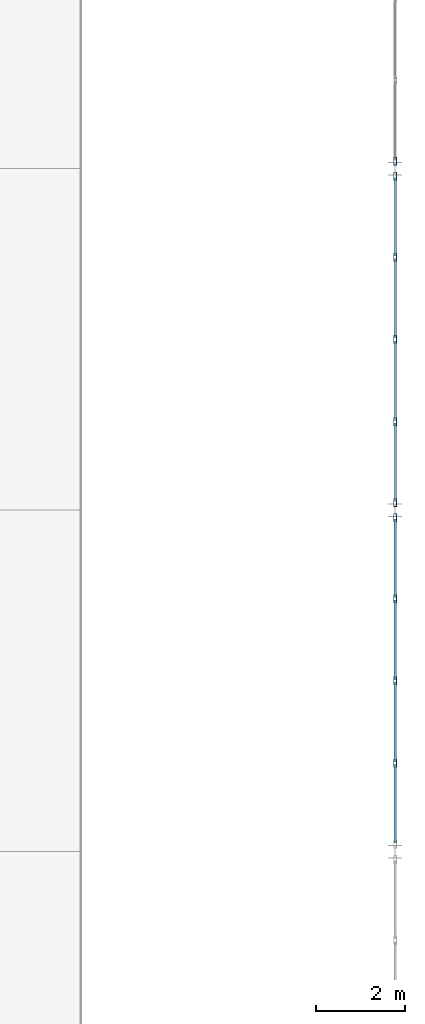
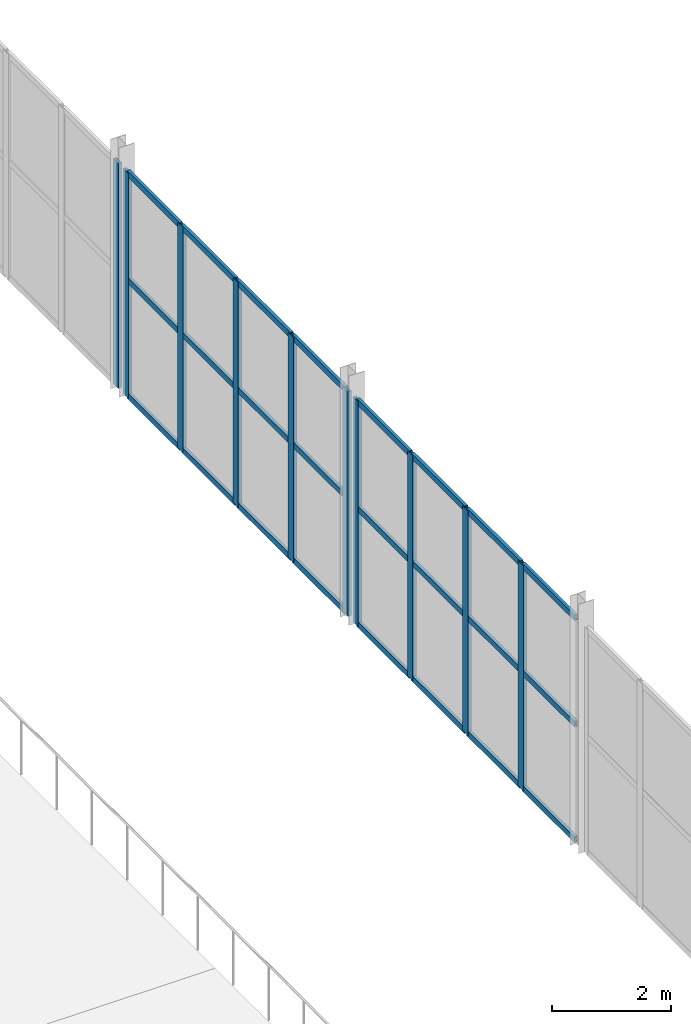
# One storey, part 134 of 218: 34 members, 3 elements without a shape of their own.
"""IFC4 building model written with IfcOpenShell, lengths in metres."""

from ifc_helpers import new_model, si_unit, direction, frame, origin, origin_2d, place, context, subcontext, project, spatial, hollow_rectangle, extrude, material, material_profile, profile_set, type_object, element, aggregate, save


model = new_model("IFC4")

# Units and contexts
model_context = context("Model", 3, precision=1e-05, world=origin(), true_north=direction((0.0, 1.0)))
body_context = subcontext(model_context, "Body", "Model", "MODEL_VIEW")
ifc_project = project(units=[si_unit("LENGTHUNIT", "METRE"), si_unit("AREAUNIT", "SQUARE_METRE"), si_unit("VOLUMEUNIT", "CUBIC_METRE"), si_unit("PLANEANGLEUNIT", "RADIAN"), si_unit("MASSUNIT", "GRAM", prefix="KILO")], contexts=[model_context])

# Site, building, storey
site_placement = place(None, origin())
site = spatial("IfcSite", under=ifc_project, at=site_placement, CompositionType="ELEMENT")
building_placement = place(site_placement, origin())
building = spatial("IfcBuilding", under=site, at=building_placement, Name="Kazenagashi Tramway Depot", CompositionType="ELEMENT")
storey_placement = place(building_placement, frame((0.0, 0.0, 6.0)))
storey = spatial("IfcBuildingStorey", under=building, at=storey_placement, Name="L02", CompositionType="ELEMENT", Elevation=6.0)

# Curtain wall, members
ifc_material_1 = material(Name="Anodised Aluminium and Low-E Glazing", Category="aluminium")
curtain_wall_type = type_object("IfcCurtainWallType", Name="CW-23", PredefinedType="USERDEFINED", material=ifc_material_1)
curtain_wall_1_placement = place(storey_placement, origin())
curtain_wall_1 = element("IfcCurtainWall", 1, at=curtain_wall_1_placement, inside=storey, type_object=curtain_wall_type, Name="Industrial Glazed Screen CW-23 CW-0127", ObjectType="GLAZED SCREEN", PredefinedType="USERDEFINED")
ifc_material_2 = material(Name="Anodised Aluminium", Category="aluminium")
ifc_material_profile_1 = material_profile(ifc_material_2, hollow_rectangle(XDim=0.07, YDim=0.18, WallThickness=0.005, at=origin_2d()), Name="RHS-180x70x5")
ifc_profile_set_1 = profile_set([ifc_material_profile_1], Name="Anodised Aluminium")
member_type_1 = type_object("IfcMemberType", Name="ML-02", PredefinedType="MULLION", material=ifc_profile_set_1)
member_1_placement = place(storey_placement, frame((196.0, 17.395, 0.0), z_axis=(0.0, 0.0, 1.0), x_axis=(-1.0, 0.0, 0.0)))
member_1 = element("IfcMember", 2, at=member_1_placement, type_object=member_type_1, Name="CW-23 mullion 2", PredefinedType="MULLION", context=body_context, shape_type="SweptSolid", body=[
    extrude(hollow_rectangle(XDim=0.07, YDim=0.18, WallThickness=0.005, at=origin_2d()), origin(), (0.0, 0.0, 1.0), 4.6),
])
member_2_placement = place(storey_placement, frame((196.0, 19.25, 0.0), z_axis=(0.0, 0.0, 1.0), x_axis=(-1.0, 0.0, 0.0)))
member_2 = element("IfcMember", 3, at=member_2_placement, type_object=member_type_1, Name="CW-23 mullion 3", PredefinedType="MULLION", context=body_context, shape_type="SweptSolid", body=[
    extrude(hollow_rectangle(XDim=0.07, YDim=0.18, WallThickness=0.005, at=origin_2d()), origin(), (0.0, 0.0, 1.0), 4.6),
])
member_3_placement = place(storey_placement, frame((196.0, 21.105, 0.0), z_axis=(0.0, 0.0, 1.0), x_axis=(-1.0, 0.0, 0.0)))
member_3 = element("IfcMember", 4, at=member_3_placement, type_object=member_type_1, Name="CW-23 mullion 4", PredefinedType="MULLION", context=body_context, shape_type="SweptSolid", body=[
    extrude(hollow_rectangle(XDim=0.07, YDim=0.18, WallThickness=0.005, at=origin_2d()), origin(), (0.0, 0.0, 1.0), 4.6),
])
member_4_placement = place(storey_placement, frame((196.0, 22.93, 0.0), z_axis=(0.0, 0.0, 1.0), x_axis=(-1.0, 0.0, 0.0)))
member_4 = element("IfcMember", 5, at=member_4_placement, type_object=member_type_1, Name="CW-23 mullion 5", PredefinedType="MULLION", context=body_context, shape_type="SweptSolid", body=[
    extrude(hollow_rectangle(XDim=0.07, YDim=0.18, WallThickness=0.005, at=origin_2d()), origin(), (0.0, 0.0, 1.0), 4.6),
])

curtain_wall_2_placement = place(storey_placement, origin())
curtain_wall_2 = element("IfcCurtainWall", 6, at=curtain_wall_2_placement, inside=storey, type_object=curtain_wall_type, Name="Industrial Glazed Screen CW-23 CW-0128", ObjectType="GLAZED SCREEN", PredefinedType="USERDEFINED")
member_5_placement = place(storey_placement, frame((196.0, 23.27, 0.0), z_axis=(0.0, 0.0, 1.0), x_axis=(-1.0, 0.0, 0.0)))
member_5 = element("IfcMember", 7, at=member_5_placement, type_object=member_type_1, Name="CW-23 mullion 1", PredefinedType="MULLION", context=body_context, shape_type="SweptSolid", body=[
    extrude(hollow_rectangle(XDim=0.07, YDim=0.18, WallThickness=0.005, at=origin_2d()), origin(), (0.0, 0.0, 1.0), 4.6),
])
member_6_placement = place(storey_placement, frame((196.0, 25.095, 0.0), z_axis=(0.0, 0.0, 1.0), x_axis=(-1.0, 0.0, 0.0)))
member_6 = element("IfcMember", 8, at=member_6_placement, type_object=member_type_1, Name="CW-23 mullion 2", PredefinedType="MULLION", context=body_context, shape_type="SweptSolid", body=[
    extrude(hollow_rectangle(XDim=0.07, YDim=0.18, WallThickness=0.005, at=origin_2d()), origin(), (0.0, 0.0, 1.0), 4.6),
])
member_7_placement = place(storey_placement, frame((196.0, 26.95, 0.0), z_axis=(0.0, 0.0, 1.0), x_axis=(-1.0, 0.0, 0.0)))
member_7 = element("IfcMember", 9, at=member_7_placement, type_object=member_type_1, Name="CW-23 mullion 3", PredefinedType="MULLION", context=body_context, shape_type="SweptSolid", body=[
    extrude(hollow_rectangle(XDim=0.07, YDim=0.18, WallThickness=0.005, at=origin_2d()), origin(), (0.0, 0.0, 1.0), 4.6),
])
member_8_placement = place(storey_placement, frame((196.0, 28.805, 0.0), z_axis=(0.0, 0.0, 1.0), x_axis=(-1.0, 0.0, 0.0)))
member_8 = element("IfcMember", 10, at=member_8_placement, type_object=member_type_1, Name="CW-23 mullion 4", PredefinedType="MULLION", context=body_context, shape_type="SweptSolid", body=[
    extrude(hollow_rectangle(XDim=0.07, YDim=0.18, WallThickness=0.005, at=origin_2d()), origin(), (0.0, 0.0, 1.0), 4.6),
])
member_9_placement = place(storey_placement, frame((196.0, 30.63, 0.0), z_axis=(0.0, 0.0, 1.0), x_axis=(-1.0, 0.0, 0.0)))
member_9 = element("IfcMember", 11, at=member_9_placement, type_object=member_type_1, Name="CW-23 mullion 5", PredefinedType="MULLION", context=body_context, shape_type="SweptSolid", body=[
    extrude(hollow_rectangle(XDim=0.07, YDim=0.18, WallThickness=0.005, at=origin_2d()), origin(), (0.0, 0.0, 1.0), 4.6),
])

# Curtain wall, member
curtain_wall_3_placement = place(storey_placement, origin())
curtain_wall_3 = element("IfcCurtainWall", 12, at=curtain_wall_3_placement, inside=storey, type_object=curtain_wall_type, Name="Industrial Glazed Screen CW-23 CW-0129", ObjectType="GLAZED SCREEN", PredefinedType="USERDEFINED")
member_10_placement = place(storey_placement, frame((196.0, 30.97, 0.0), z_axis=(0.0, 0.0, 1.0), x_axis=(-1.0, 0.0, 0.0)))
member_10 = element("IfcMember", 13, at=member_10_placement, type_object=member_type_1, Name="CW-23 mullion 1", PredefinedType="MULLION", context=body_context, shape_type="SweptSolid", body=[
    extrude(hollow_rectangle(XDim=0.07, YDim=0.18, WallThickness=0.005, at=origin_2d()), origin(), (0.0, 0.0, 1.0), 4.6),
])
aggregate(curtain_wall_3, [member_10])

# Member
ifc_material_profile_2 = material_profile(ifc_material_2, hollow_rectangle(XDim=0.06, YDim=0.12, WallThickness=0.004, at=origin_2d()), Name="RHS-120x60x4")
ifc_profile_set_2 = profile_set([ifc_material_profile_2], Name="Anodised Aluminium")
member_type_2 = type_object("IfcMemberType", Name="TR-01", PredefinedType="USERDEFINED", material=ifc_profile_set_2)
member_11_placement = place(storey_placement, frame((196.0, 15.6, 0.03), z_axis=(0.0, 1.0, 0.0), x_axis=(-1.0, 0.0, 0.0)))
member_11 = element("IfcMember", 14, at=member_11_placement, type_object=member_type_2, Name="CW-23 transom 1.1", ObjectType="TRANSOM", PredefinedType="USERDEFINED", context=body_context, shape_type="SweptSolid", body=[
    extrude(hollow_rectangle(XDim=0.06, YDim=0.12, WallThickness=0.004, at=origin_2d()), origin(), (0.0, 0.0, 1.0), 1.765),
])

member_12_placement = place(storey_placement, frame((196.0, 15.6, 2.392), z_axis=(0.0, 1.0, 0.0), x_axis=(-1.0, 0.0, 0.0)))
member_12 = element("IfcMember", 15, at=member_12_placement, type_object=member_type_2, Name="CW-23 transom 1.2", ObjectType="TRANSOM", PredefinedType="USERDEFINED", context=body_context, shape_type="SweptSolid", body=[
    extrude(hollow_rectangle(XDim=0.06, YDim=0.12, WallThickness=0.004, at=origin_2d()), origin(), (0.0, 0.0, 1.0), 1.765),
])

member_13_placement = place(storey_placement, frame((196.0, 15.6, 4.57), z_axis=(0.0, 1.0, 0.0), x_axis=(-1.0, 0.0, 0.0)))
member_13 = element("IfcMember", 16, at=member_13_placement, type_object=member_type_2, Name="CW-23 transom 1.3", ObjectType="TRANSOM", PredefinedType="USERDEFINED", context=body_context, shape_type="SweptSolid", body=[
    extrude(hollow_rectangle(XDim=0.06, YDim=0.12, WallThickness=0.004, at=origin_2d()), origin(), (0.0, 0.0, 1.0), 1.765),
])

member_14_placement = place(storey_placement, frame((196.0, 17.425, 0.03), z_axis=(0.0, 1.0, 0.0), x_axis=(-1.0, 0.0, 0.0)))
member_14 = element("IfcMember", 17, at=member_14_placement, type_object=member_type_2, Name="CW-23 transom 2.1", ObjectType="TRANSOM", PredefinedType="USERDEFINED", context=body_context, shape_type="SweptSolid", body=[
    extrude(hollow_rectangle(XDim=0.06, YDim=0.12, WallThickness=0.004, at=origin_2d()), origin(), (0.0, 0.0, 1.0), 1.795),
])

member_15_placement = place(storey_placement, frame((196.0, 17.425, 2.392), z_axis=(0.0, 1.0, 0.0), x_axis=(-1.0, 0.0, 0.0)))
member_15 = element("IfcMember", 18, at=member_15_placement, type_object=member_type_2, Name="CW-23 transom 2.2", ObjectType="TRANSOM", PredefinedType="USERDEFINED", context=body_context, shape_type="SweptSolid", body=[
    extrude(hollow_rectangle(XDim=0.06, YDim=0.12, WallThickness=0.004, at=origin_2d()), origin(), (0.0, 0.0, 1.0), 1.795),
])

member_16_placement = place(storey_placement, frame((196.0, 17.425, 4.57), z_axis=(0.0, 1.0, 0.0), x_axis=(-1.0, 0.0, 0.0)))
member_16 = element("IfcMember", 19, at=member_16_placement, type_object=member_type_2, Name="CW-23 transom 2.3", ObjectType="TRANSOM", PredefinedType="USERDEFINED", context=body_context, shape_type="SweptSolid", body=[
    extrude(hollow_rectangle(XDim=0.06, YDim=0.12, WallThickness=0.004, at=origin_2d()), origin(), (0.0, 0.0, 1.0), 1.795),
])

member_17_placement = place(storey_placement, frame((196.0, 19.28, 0.03), z_axis=(0.0, 1.0, 0.0), x_axis=(-1.0, 0.0, 0.0)))
member_17 = element("IfcMember", 20, at=member_17_placement, type_object=member_type_2, Name="CW-23 transom 3.1", ObjectType="TRANSOM", PredefinedType="USERDEFINED", context=body_context, shape_type="SweptSolid", body=[
    extrude(hollow_rectangle(XDim=0.06, YDim=0.12, WallThickness=0.004, at=origin_2d()), origin(), (0.0, 0.0, 1.0), 1.795),
])

member_18_placement = place(storey_placement, frame((196.0, 19.28, 2.392), z_axis=(0.0, 1.0, 0.0), x_axis=(-1.0, 0.0, 0.0)))
member_18 = element("IfcMember", 21, at=member_18_placement, type_object=member_type_2, Name="CW-23 transom 3.2", ObjectType="TRANSOM", PredefinedType="USERDEFINED", context=body_context, shape_type="SweptSolid", body=[
    extrude(hollow_rectangle(XDim=0.06, YDim=0.12, WallThickness=0.004, at=origin_2d()), origin(), (0.0, 0.0, 1.0), 1.795),
])

member_19_placement = place(storey_placement, frame((196.0, 19.28, 4.57), z_axis=(0.0, 1.0, 0.0), x_axis=(-1.0, 0.0, 0.0)))
member_19 = element("IfcMember", 22, at=member_19_placement, type_object=member_type_2, Name="CW-23 transom 3.3", ObjectType="TRANSOM", PredefinedType="USERDEFINED", context=body_context, shape_type="SweptSolid", body=[
    extrude(hollow_rectangle(XDim=0.06, YDim=0.12, WallThickness=0.004, at=origin_2d()), origin(), (0.0, 0.0, 1.0), 1.795),
])

member_20_placement = place(storey_placement, frame((196.0, 21.135, 0.03), z_axis=(0.0, 1.0, 0.0), x_axis=(-1.0, 0.0, 0.0)))
member_20 = element("IfcMember", 23, at=member_20_placement, type_object=member_type_2, Name="CW-23 transom 4.1", ObjectType="TRANSOM", PredefinedType="USERDEFINED", context=body_context, shape_type="SweptSolid", body=[
    extrude(hollow_rectangle(XDim=0.06, YDim=0.12, WallThickness=0.004, at=origin_2d()), origin(), (0.0, 0.0, 1.0), 1.765),
])

member_21_placement = place(storey_placement, frame((196.0, 21.135, 2.392), z_axis=(0.0, 1.0, 0.0), x_axis=(-1.0, 0.0, 0.0)))
member_21 = element("IfcMember", 24, at=member_21_placement, type_object=member_type_2, Name="CW-23 transom 4.2", ObjectType="TRANSOM", PredefinedType="USERDEFINED", context=body_context, shape_type="SweptSolid", body=[
    extrude(hollow_rectangle(XDim=0.06, YDim=0.12, WallThickness=0.004, at=origin_2d()), origin(), (0.0, 0.0, 1.0), 1.765),
])

member_22_placement = place(storey_placement, frame((196.0, 21.135, 4.57), z_axis=(0.0, 1.0, 0.0), x_axis=(-1.0, 0.0, 0.0)))
member_22 = element("IfcMember", 25, at=member_22_placement, type_object=member_type_2, Name="CW-23 transom 4.3", ObjectType="TRANSOM", PredefinedType="USERDEFINED", context=body_context, shape_type="SweptSolid", body=[
    extrude(hollow_rectangle(XDim=0.06, YDim=0.12, WallThickness=0.004, at=origin_2d()), origin(), (0.0, 0.0, 1.0), 1.765),
])

aggregate(curtain_wall_1, [member_1, member_2, member_3, member_4, member_11, member_12, member_13, member_14, member_15, member_16, member_17, member_18, member_19, member_20, member_21, member_22])

member_23_placement = place(storey_placement, frame((196.0, 23.3, 0.03), z_axis=(0.0, 1.0, 0.0), x_axis=(-1.0, 0.0, 0.0)))
member_23 = element("IfcMember", 26, at=member_23_placement, type_object=member_type_2, Name="CW-23 transom 1.1", ObjectType="TRANSOM", PredefinedType="USERDEFINED", context=body_context, shape_type="SweptSolid", body=[
    extrude(hollow_rectangle(XDim=0.06, YDim=0.12, WallThickness=0.004, at=origin_2d()), origin(), (0.0, 0.0, 1.0), 1.765),
])

member_24_placement = place(storey_placement, frame((196.0, 23.3, 2.392), z_axis=(0.0, 1.0, 0.0), x_axis=(-1.0, 0.0, 0.0)))
member_24 = element("IfcMember", 27, at=member_24_placement, type_object=member_type_2, Name="CW-23 transom 1.2", ObjectType="TRANSOM", PredefinedType="USERDEFINED", context=body_context, shape_type="SweptSolid", body=[
    extrude(hollow_rectangle(XDim=0.06, YDim=0.12, WallThickness=0.004, at=origin_2d()), origin(), (0.0, 0.0, 1.0), 1.765),
])

member_25_placement = place(storey_placement, frame((196.0, 23.3, 4.57), z_axis=(0.0, 1.0, 0.0), x_axis=(-1.0, 0.0, 0.0)))
member_25 = element("IfcMember", 28, at=member_25_placement, type_object=member_type_2, Name="CW-23 transom 1.3", ObjectType="TRANSOM", PredefinedType="USERDEFINED", context=body_context, shape_type="SweptSolid", body=[
    extrude(hollow_rectangle(XDim=0.06, YDim=0.12, WallThickness=0.004, at=origin_2d()), origin(), (0.0, 0.0, 1.0), 1.765),
])

member_26_placement = place(storey_placement, frame((196.0, 25.125, 0.03), z_axis=(0.0, 1.0, 0.0), x_axis=(-1.0, 0.0, 0.0)))
member_26 = element("IfcMember", 29, at=member_26_placement, type_object=member_type_2, Name="CW-23 transom 2.1", ObjectType="TRANSOM", PredefinedType="USERDEFINED", context=body_context, shape_type="SweptSolid", body=[
    extrude(hollow_rectangle(XDim=0.06, YDim=0.12, WallThickness=0.004, at=origin_2d()), origin(), (0.0, 0.0, 1.0), 1.795),
])

member_27_placement = place(storey_placement, frame((196.0, 25.125, 2.392), z_axis=(0.0, 1.0, 0.0), x_axis=(-1.0, 0.0, 0.0)))
member_27 = element("IfcMember", 30, at=member_27_placement, type_object=member_type_2, Name="CW-23 transom 2.2", ObjectType="TRANSOM", PredefinedType="USERDEFINED", context=body_context, shape_type="SweptSolid", body=[
    extrude(hollow_rectangle(XDim=0.06, YDim=0.12, WallThickness=0.004, at=origin_2d()), origin(), (0.0, 0.0, 1.0), 1.795),
])

member_28_placement = place(storey_placement, frame((196.0, 25.125, 4.57), z_axis=(0.0, 1.0, 0.0), x_axis=(-1.0, 0.0, 0.0)))
member_28 = element("IfcMember", 31, at=member_28_placement, type_object=member_type_2, Name="CW-23 transom 2.3", ObjectType="TRANSOM", PredefinedType="USERDEFINED", context=body_context, shape_type="SweptSolid", body=[
    extrude(hollow_rectangle(XDim=0.06, YDim=0.12, WallThickness=0.004, at=origin_2d()), origin(), (0.0, 0.0, 1.0), 1.795),
])

member_29_placement = place(storey_placement, frame((196.0, 26.98, 0.03), z_axis=(0.0, 1.0, 0.0), x_axis=(-1.0, 0.0, 0.0)))
member_29 = element("IfcMember", 32, at=member_29_placement, type_object=member_type_2, Name="CW-23 transom 3.1", ObjectType="TRANSOM", PredefinedType="USERDEFINED", context=body_context, shape_type="SweptSolid", body=[
    extrude(hollow_rectangle(XDim=0.06, YDim=0.12, WallThickness=0.004, at=origin_2d()), origin(), (0.0, 0.0, 1.0), 1.795),
])

member_30_placement = place(storey_placement, frame((196.0, 26.98, 2.392), z_axis=(0.0, 1.0, 0.0), x_axis=(-1.0, 0.0, 0.0)))
member_30 = element("IfcMember", 33, at=member_30_placement, type_object=member_type_2, Name="CW-23 transom 3.2", ObjectType="TRANSOM", PredefinedType="USERDEFINED", context=body_context, shape_type="SweptSolid", body=[
    extrude(hollow_rectangle(XDim=0.06, YDim=0.12, WallThickness=0.004, at=origin_2d()), origin(), (0.0, 0.0, 1.0), 1.795),
])

member_31_placement = place(storey_placement, frame((196.0, 26.98, 4.57), z_axis=(0.0, 1.0, 0.0), x_axis=(-1.0, 0.0, 0.0)))
member_31 = element("IfcMember", 34, at=member_31_placement, type_object=member_type_2, Name="CW-23 transom 3.3", ObjectType="TRANSOM", PredefinedType="USERDEFINED", context=body_context, shape_type="SweptSolid", body=[
    extrude(hollow_rectangle(XDim=0.06, YDim=0.12, WallThickness=0.004, at=origin_2d()), origin(), (0.0, 0.0, 1.0), 1.795),
])

member_32_placement = place(storey_placement, frame((196.0, 28.835, 0.03), z_axis=(0.0, 1.0, 0.0), x_axis=(-1.0, 0.0, 0.0)))
member_32 = element("IfcMember", 35, at=member_32_placement, type_object=member_type_2, Name="CW-23 transom 4.1", ObjectType="TRANSOM", PredefinedType="USERDEFINED", context=body_context, shape_type="SweptSolid", body=[
    extrude(hollow_rectangle(XDim=0.06, YDim=0.12, WallThickness=0.004, at=origin_2d()), origin(), (0.0, 0.0, 1.0), 1.765),
])

member_33_placement = place(storey_placement, frame((196.0, 28.835, 2.392), z_axis=(0.0, 1.0, 0.0), x_axis=(-1.0, 0.0, 0.0)))
member_33 = element("IfcMember", 36, at=member_33_placement, type_object=member_type_2, Name="CW-23 transom 4.2", ObjectType="TRANSOM", PredefinedType="USERDEFINED", context=body_context, shape_type="SweptSolid", body=[
    extrude(hollow_rectangle(XDim=0.06, YDim=0.12, WallThickness=0.004, at=origin_2d()), origin(), (0.0, 0.0, 1.0), 1.765),
])

member_34_placement = place(storey_placement, frame((196.0, 28.835, 4.57), z_axis=(0.0, 1.0, 0.0), x_axis=(-1.0, 0.0, 0.0)))
member_34 = element("IfcMember", 37, at=member_34_placement, type_object=member_type_2, Name="CW-23 transom 4.3", ObjectType="TRANSOM", PredefinedType="USERDEFINED", context=body_context, shape_type="SweptSolid", body=[
    extrude(hollow_rectangle(XDim=0.06, YDim=0.12, WallThickness=0.004, at=origin_2d()), origin(), (0.0, 0.0, 1.0), 1.765),
])

aggregate(curtain_wall_2, [member_5, member_6, member_7, member_8, member_9, member_23, member_24, member_25, member_26, member_27, member_28, member_29, member_30, member_31, member_32, member_33, member_34])

save(model, "model.ifc")
